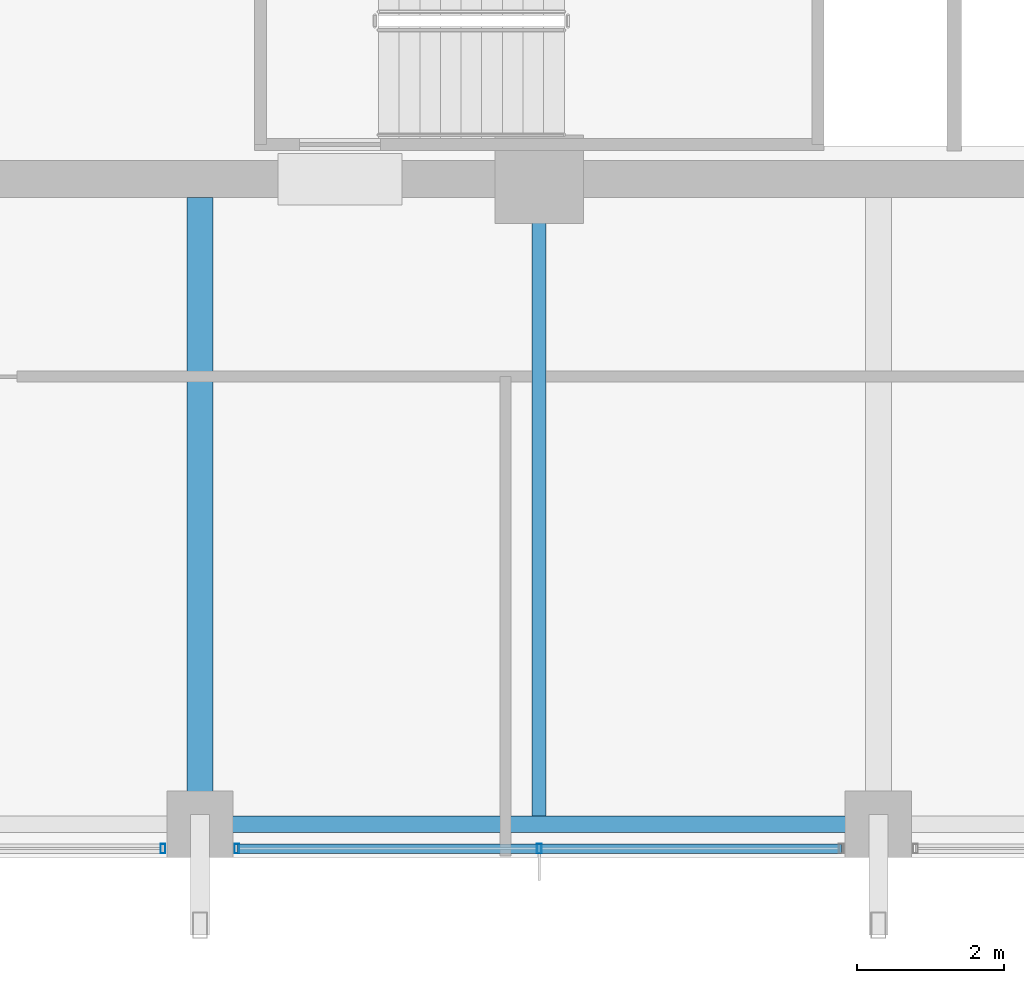
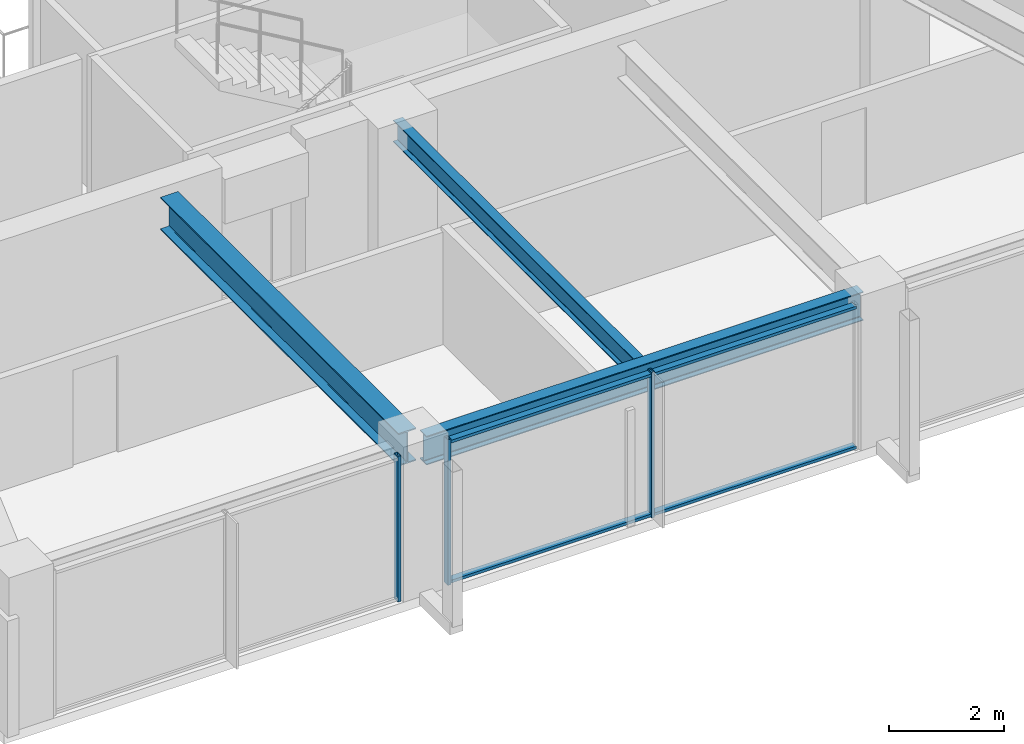
# One storey, part 6 of 35: 5 members, 3 beams, 2 elements without a shape of their own.
"""IFC4 building model written with IfcOpenShell, lengths in metres."""

from ifc_helpers import new_model, si_unit, direction, frame, origin, origin_2d, place, context, subcontext, project, spatial, hollow_rectangle, i_section, extrude, material, material_profile, profile_set, type_object, element, aggregate, save


model = new_model("IFC4")

# Units and contexts
model_context = context("Model", 3, precision=1e-05, world=origin(), true_north=direction((0.0, 1.0)))
body_context = subcontext(model_context, "Body", "Model", "MODEL_VIEW")
ifc_project = project(units=[si_unit("LENGTHUNIT", "METRE"), si_unit("AREAUNIT", "SQUARE_METRE"), si_unit("VOLUMEUNIT", "CUBIC_METRE"), si_unit("PLANEANGLEUNIT", "RADIAN"), si_unit("MASSUNIT", "GRAM", prefix="KILO")], contexts=[model_context])

# Site, building, storey
site_placement = place(None, origin())
site = spatial("IfcSite", under=ifc_project, at=site_placement, CompositionType="ELEMENT")
building_placement = place(site_placement, origin())
building = spatial("IfcBuilding", under=site, at=building_placement, Name="Kolvaren Belvedere", CompositionType="ELEMENT")
storey_placement = place(building_placement, frame((0.0, 0.0, 163.5)))
storey = spatial("IfcBuildingStorey", under=building, at=storey_placement, Name="L47", CompositionType="ELEMENT", Elevation=163.5)

# Beams
ifc_material_1 = material(Name="Structural steel ASTM A992 Grade 50", Category="steel")
ifc_material_profile_1 = material_profile(ifc_material_1, i_section(OverallWidth=0.35498046875, OverallDepth=0.696044921875, WebThickness=0.015380859375, FlangeThickness=0.02490234375, FilletRadius=0.02197265625, at=origin_2d()), Name="W27X146")
ifc_profile_set_1 = profile_set([ifc_material_profile_1], Name="Structural steel ASTM A992 Grade 50")
beam_type_1 = type_object("IfcBeamType", Name="BM-GIRD-W27X146", PredefinedType="BEAM", material=ifc_profile_set_1)
beam_1_placement = place(storey_placement, frame((-4.60009765625, -10.14990234375, 2.751953125), z_axis=(0.0, -1.0, 0.0), x_axis=(1.0, 0.0, 0.0)))
element("IfcBeam", 1, at=beam_1_placement, inside=storey, type_object=beam_type_1, Name="L47 South Radial Girder M", PredefinedType="BEAM", context=body_context, shape_type="SweptSolid", body=[
    extrude(i_section(OverallWidth=0.35498046875, OverallDepth=0.696044921875, WebThickness=0.015380859375, FlangeThickness=0.02490234375, FilletRadius=0.02197265625, at=origin_2d()), origin(), (0.0, 0.0, 1.0), 8.297607421875),
])
ifc_material_2 = material(Name="Structural steel ASTM A992 Grade 50", Category="steel")
ifc_material_profile_2 = material_profile(ifc_material_2, i_section(OverallWidth=0.19091796875, OverallDepth=0.4599609375, WebThickness=0.010009765625, FlangeThickness=0.01611328125, FilletRadius=0.014892578125, at=origin_2d()), Name="W18X55")
ifc_profile_set_2 = profile_set([ifc_material_profile_2], Name="Structural steel ASTM A992 Grade 50")
beam_type_2 = type_object("IfcBeamType", Name="BM-JOIST-W18X55", PredefinedType="BEAM", material=ifc_profile_set_2)
beam_2_placement = place(storey_placement, frame((0.0, -10.14990234375, 2.8701171875), z_axis=(0.0, -1.0, 0.0), x_axis=(1.0, 0.0, 0.0)))
element("IfcBeam", 2, at=beam_2_placement, inside=storey, type_object=beam_type_2, Name="L47 South Centre Floor Beam", PredefinedType="BEAM", context=body_context, shape_type="SweptSolid", body=[
    extrude(i_section(OverallWidth=0.19091796875, OverallDepth=0.4599609375, WebThickness=0.010009765625, FlangeThickness=0.01611328125, FilletRadius=0.014892578125, at=origin_2d()), origin(), (0.0, 0.0, 1.0), 8.385498046875),
])
ifc_material_3 = material(Name="Structural steel ASTM A992 Grade 50", Category="steel")
ifc_material_profile_3 = material_profile(ifc_material_3, i_section(OverallWidth=0.22900390625, OverallDepth=0.612060546875, WebThickness=0.011962890625, FlangeThickness=0.01953125, FilletRadius=0.01806640625, at=origin_2d()), Name="W24X84")
ifc_profile_set_3 = profile_set([ifc_material_profile_3], Name="Structural steel ASTM A992 Grade 50")
beam_type_3 = type_object("IfcBeamType", Name="BM-SPAN-W24X84", PredefinedType="SPANDREL", material=ifc_profile_set_3)
beam_3_placement = place(storey_placement, frame((-4.3974609375, -18.64990234375, 2.7939453125), z_axis=(1.0, 0.0, 0.0), x_axis=(0.0, 1.0, 0.0)))
element("IfcBeam", 3, at=beam_3_placement, inside=storey, type_object=beam_type_3, Name="L47 Perimeter Spandrel S2-S3", PredefinedType="SPANDREL", context=body_context, shape_type="SweptSolid", body=[
    extrude(i_section(OverallWidth=0.22900390625, OverallDepth=0.612060546875, WebThickness=0.011962890625, FlangeThickness=0.01953125, FilletRadius=0.01806640625, at=origin_2d()), origin(), (0.0, 0.0, 1.0), 8.794921875),
])

# Curtain wall, members
ifc_material_4 = material(Name="Anodised pale-metal aluminium AA 6063-T6", Category="aluminium")
curtain_wall_type = type_object("IfcCurtainWallType", Name="CW-Z3-WAIST", PredefinedType="NOTDEFINED", material=ifc_material_4)
curtain_wall_1_placement = place(storey_placement, origin())
curtain_wall_1 = element("IfcCurtainWall", 4, at=curtain_wall_1_placement, inside=storey, type_object=curtain_wall_type, Name="L47 Unitised Curtain Wall FCW-L47-S-B2", PredefinedType="NOTDEFINED")
ifc_material_5 = material(Name="Anodised pale-metal aluminium AA 6063-T6", Category="aluminium")
ifc_material_profile_4 = material_profile(ifc_material_5, hollow_rectangle(XDim=0.06494140625, YDim=0.1298828125, WallThickness=0.00390625, at=origin_2d()), Name="ALU-MUL-130X65")
ifc_profile_set_4 = profile_set([ifc_material_profile_4], Name="Anodised pale-metal aluminium AA 6063-T6")
member_type_1 = type_object("IfcMemberType", Name="CW-MUL-130", PredefinedType="MULLION", material=ifc_profile_set_4)
member_1_placement = place(storey_placement, frame((0.0, -18.97998046875, 0.0), z_axis=(0.0, 0.0, 1.0), x_axis=(1.0, 0.0, 0.0)))
member_1 = element("IfcMember", 5, at=member_1_placement, type_object=member_type_1, Name="FCW-L47-S-B2 Unitised Mullion 2", PredefinedType="MULLION", context=body_context, shape_type="SweptSolid", body=[
    extrude(hollow_rectangle(XDim=0.06494140625, YDim=0.1298828125, WallThickness=0.00390625, at=origin_2d()), origin(), (0.0, 0.0, 1.0), 3.10009765625),
])
member_2_placement = place(storey_placement, frame((-4.097412109375, -18.97998046875, 0.0), z_axis=(0.0, 0.0, 1.0), x_axis=(1.0, 0.0, 0.0)))
member_2 = element("IfcMember", 6, at=member_2_placement, type_object=member_type_1, Name="FCW-L47-S-B2 Unitised Mullion 3", PredefinedType="MULLION", context=body_context, shape_type="SweptSolid", body=[
    extrude(hollow_rectangle(XDim=0.06494140625, YDim=0.1298828125, WallThickness=0.00390625, at=origin_2d()), origin(), (0.0, 0.0, 1.0), 3.10009765625),
])

# Curtain wall, member
curtain_wall_2_placement = place(storey_placement, origin())
curtain_wall_2 = element("IfcCurtainWall", 7, at=curtain_wall_2_placement, inside=storey, type_object=curtain_wall_type, Name="L47 Unitised Curtain Wall FCW-L47-S-B3", PredefinedType="NOTDEFINED")
member_3_placement = place(storey_placement, frame((-5.1025390625, -18.97998046875, 0.0), z_axis=(0.0, 0.0, 1.0), x_axis=(1.0, 0.0, 0.0)))
member_3 = element("IfcMember", 8, at=member_3_placement, type_object=member_type_1, Name="FCW-L47-S-B3 Unitised Mullion 1", PredefinedType="MULLION", context=body_context, shape_type="SweptSolid", body=[
    extrude(hollow_rectangle(XDim=0.06494140625, YDim=0.1298828125, WallThickness=0.00390625, at=origin_2d()), origin(), (0.0, 0.0, 1.0), 3.10009765625),
])
aggregate(curtain_wall_2, [member_3])

# Member
ifc_material_6 = material(Name="Anodised pale-metal aluminium AA 6063-T6", Category="aluminium")
ifc_material_profile_5 = material_profile(ifc_material_6, hollow_rectangle(XDim=0.06005859375, YDim=0.1298828125, WallThickness=0.00390625, at=origin_2d()), Name="ALU-TRN-130X60")
ifc_profile_set_5 = profile_set([ifc_material_profile_5], Name="Anodised pale-metal aluminium AA 6063-T6")
member_type_2 = type_object("IfcMemberType", Name="CW-TRN-130", PredefinedType="USERDEFINED", material=ifc_profile_set_5)
member_4_placement = place(storey_placement, frame((4.097412109375, -18.97998046875, 0.06005859375), z_axis=(-1.0, 0.0, 0.0), x_axis=(0.0, 0.0, 1.0)))
member_4 = element("IfcMember", 9, at=member_4_placement, type_object=member_type_2, Name="FCW-L47-S-B2 Sill Transom", ObjectType="TRANSOM", PredefinedType="USERDEFINED", context=body_context, shape_type="SweptSolid", body=[
    extrude(hollow_rectangle(XDim=0.06005859375, YDim=0.1298828125, WallThickness=0.00390625, at=origin_2d()), origin(), (0.0, 0.0, 1.0), 8.19482421875),
])

member_5_placement = place(storey_placement, frame((4.097412109375, -18.97998046875, 3.0400390625), z_axis=(-1.0, 0.0, 0.0), x_axis=(0.0, 0.0, 1.0)))
member_5 = element("IfcMember", 10, at=member_5_placement, type_object=member_type_2, Name="FCW-L47-S-B2 Head Transom", ObjectType="TRANSOM", PredefinedType="USERDEFINED", context=body_context, shape_type="SweptSolid", body=[
    extrude(hollow_rectangle(XDim=0.06005859375, YDim=0.1298828125, WallThickness=0.00390625, at=origin_2d()), origin(), (0.0, 0.0, 1.0), 8.19482421875),
])

aggregate(curtain_wall_1, [member_1, member_2, member_4, member_5])

save(model, "model.ifc")
